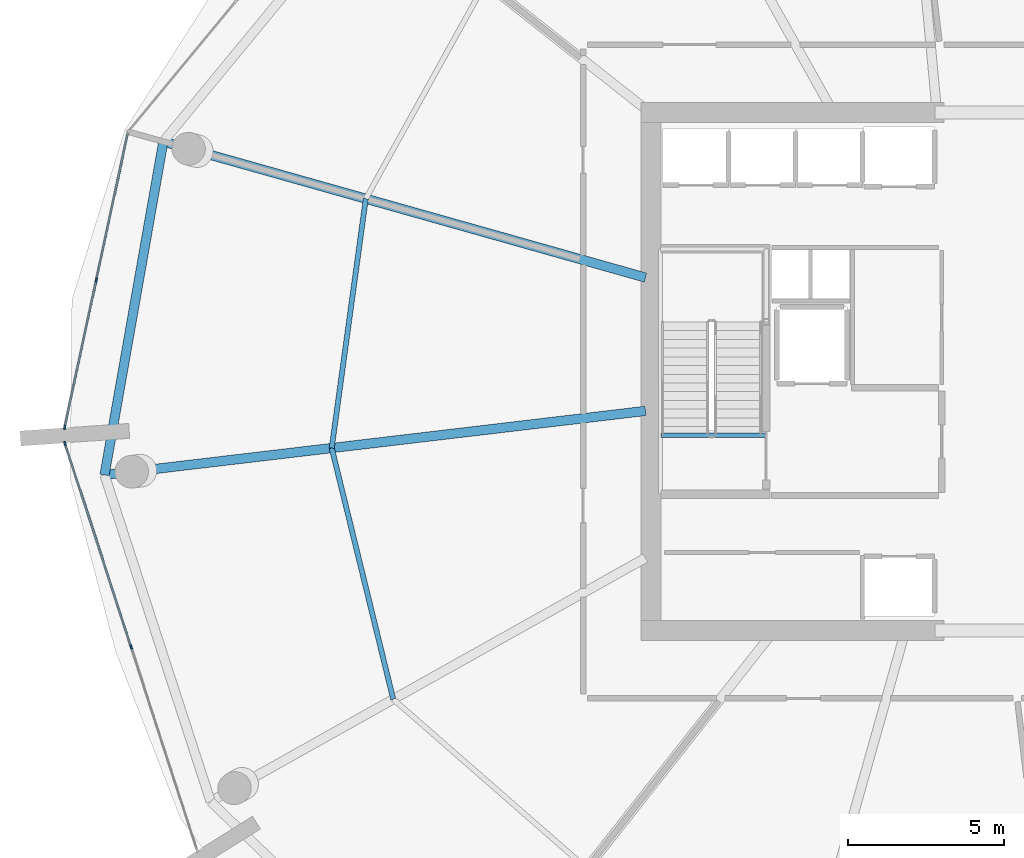
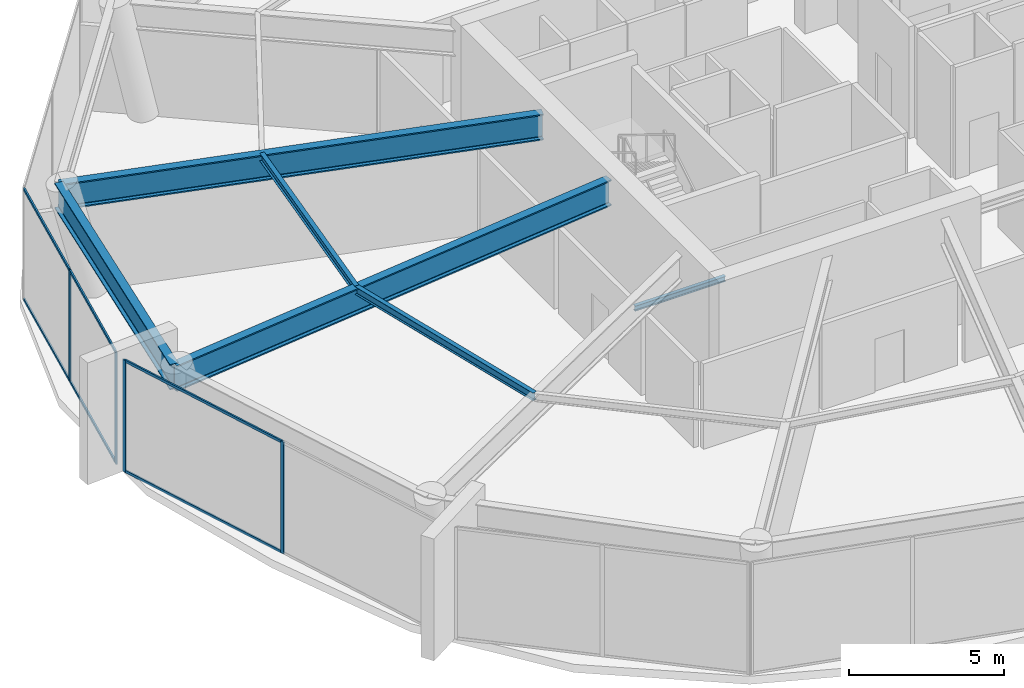
# One storey, part 7 of 22: 10 members, 6 beams, 2 elements without a shape of their own.
"""IFC4 building model written with IfcOpenShell, lengths in metres."""

from ifc_helpers import new_model, si_unit, direction, frame, origin, origin_2d, place, context, subcontext, project, spatial, rectangle, i_section, extrude, material, layer, layer_set, material_profile, profile_set, type_object, element, aggregate, save


model = new_model("IFC4")

# Units and contexts
model_context = context("Model", 3, precision=1e-05, world=origin(), true_north=direction((0.0, 1.0)))
body_context = subcontext(model_context, "Body", "Model", "MODEL_VIEW")
ifc_project = project(units=[si_unit("LENGTHUNIT", "METRE"), si_unit("AREAUNIT", "SQUARE_METRE"), si_unit("VOLUMEUNIT", "CUBIC_METRE"), si_unit("PLANEANGLEUNIT", "RADIAN"), si_unit("MASSUNIT", "GRAM", prefix="KILO")], contexts=[model_context])

# Site, building, storey
site_placement = place(None, origin())
site = spatial("IfcSite", under=ifc_project, at=site_placement, CompositionType="ELEMENT")
building_placement = place(site_placement, origin())
building = spatial("IfcBuilding", under=site, at=building_placement, Name="Kazma Halo Residences", CompositionType="ELEMENT")
storey_placement = place(building_placement, frame((0.0, 0.0, 231.89990234375)))
storey = spatial("IfcBuildingStorey", under=building, at=storey_placement, Name="L58", CompositionType="ELEMENT", Elevation=231.89990234375)

# Beams
ifc_material_1 = material(Name="Steel S355", Category="steel")
ifc_material_profile_1 = material_profile(ifc_material_1, i_section(OverallWidth=0.1650390625, OverallDepth=0.31005859375, WebThickness=0.005859375, FlangeThickness=0.009765625, FilletRadius=0.011962890625, at=origin_2d()), Name="W310x38.7")
ifc_profile_set_1 = profile_set([ifc_material_profile_1], Name="Steel S355")
beam_type_1 = type_object("IfcBeamType", Name="BM-SEC-W310B", PredefinedType="JOIST", material=ifc_profile_set_1)
beam_1_placement = place(storey_placement, frame((28.315185546875, 47.5517578125, 4.2451171875), z_axis=(-0.135450046233, -0.990784176789, 0.0), x_axis=(0.990784176789, -0.135450046233, 0.0)))
element("IfcBeam", 1, at=beam_1_placement, inside=storey, type_object=beam_type_1, Name="L58 circumferential floor joist 07", PredefinedType="JOIST", context=body_context, shape_type="SweptSolid", body=[
    extrude(i_section(OverallWidth=0.1650390625, OverallDepth=0.31005859375, WebThickness=0.005859375, FlangeThickness=0.009765625, FilletRadius=0.011962890625, at=origin_2d()), origin(), (0.0, 0.0, 1.0), 8.085693359375),
])
beam_2_placement = place(storey_placement, frame((27.219970703125, 39.54052734375, 4.2451171875), z_axis=(0.237963200266, -0.971274171035, 0.0), x_axis=(0.971274171035, 0.237963200266, 0.0)))
element("IfcBeam", 2, at=beam_2_placement, inside=storey, type_object=beam_type_1, Name="L58 circumferential floor joist 08", PredefinedType="JOIST", context=body_context, shape_type="SweptSolid", body=[
    extrude(i_section(OverallWidth=0.1650390625, OverallDepth=0.31005859375, WebThickness=0.005859375, FlangeThickness=0.009765625, FilletRadius=0.011962890625, at=origin_2d()), origin(), (0.0, 0.0, 1.0), 8.309326171875),
])
ifc_material_profile_2 = material_profile(ifc_material_1, i_section(OverallWidth=0.302001953125, OverallDepth=1.01806640625, WebThickness=0.021484375, FlangeThickness=0.049072265625, FilletRadius=0.028076171875, at=origin_2d()), Name="W1000x443")
ifc_profile_set_2 = profile_set([ifc_material_profile_2], Name="Steel S355")
beam_type_2 = type_object("IfcBeamType", Name="BM-TRANS-W1000A", PredefinedType="BEAM", material=ifc_profile_set_2)
beam_3_placement = place(storey_placement, frame((37.300048828125, 45.017578125, 3.89111328125), z_axis=(-0.96245140343, 0.271454040374, 0.0), x_axis=(-0.271454040374, -0.96245140343, 0.0)))
element("IfcBeam", 3, at=beam_3_placement, inside=storey, type_object=beam_type_2, Name="L58 podium radial transfer girder 07", PredefinedType="BEAM", context=body_context, shape_type="SweptSolid", body=[
    extrude(i_section(OverallWidth=0.302001953125, OverallDepth=1.01806640625, WebThickness=0.021484375, FlangeThickness=0.049072265625, FilletRadius=0.028076171875, at=origin_2d()), origin(), (0.0, 0.0, 1.0), 16.09521484375),
])
beam_4_placement = place(storey_placement, frame((37.300048828125, 40.733642578125, 3.89111328125), z_axis=(-0.993067702517, -0.117543771495, 0.0), x_axis=(0.117543771495, -0.993067702517, 0.0)))
element("IfcBeam", 4, at=beam_4_placement, inside=storey, type_object=beam_type_2, Name="L58 podium radial transfer girder 08", PredefinedType="BEAM", context=body_context, shape_type="SweptSolid", body=[
    extrude(i_section(OverallWidth=0.302001953125, OverallDepth=1.01806640625, WebThickness=0.021484375, FlangeThickness=0.049072265625, FilletRadius=0.028076171875, at=origin_2d()), origin(), (0.0, 0.0, 1.0), 17.5009765625),
])
ifc_material_profile_3 = material_profile(ifc_material_1, i_section(OverallWidth=0.300048828125, OverallDepth=1.0, WebThickness=0.01904296875, FlangeThickness=0.0400390625, FilletRadius=0.02587890625, at=origin_2d()), Name="W1000x371")
ifc_profile_set_3 = profile_set([ifc_material_profile_3], Name="Steel S355")
beam_type_3 = type_object("IfcBeamType", Name="BM-TRANS-W1000B", PredefinedType="BEAM", material=ifc_profile_set_3)
beam_5_placement = place(storey_placement, frame((21.80908203125, 49.38671875, 3.900146484375), z_axis=(-0.173663672311, -0.984805020763, 0.0), x_axis=(0.984805020763, -0.173663672311, 0.0)))
element("IfcBeam", 5, at=beam_5_placement, inside=storey, type_object=beam_type_3, Name="L58 perimeter ring beam 07", PredefinedType="BEAM", context=body_context, shape_type="SweptSolid", body=[
    extrude(i_section(OverallWidth=0.300048828125, OverallDepth=1.0, WebThickness=0.01904296875, FlangeThickness=0.0400390625, FilletRadius=0.02587890625, at=origin_2d()), origin(), (0.0, 0.0, 1.0), 10.87548828125),
])
ifc_material_profile_4 = material_profile(ifc_material_1, i_section(OverallWidth=0.133056640625, OverallDepth=0.20703125, WebThickness=0.005859375, FlangeThickness=0.00830078125, FilletRadius=0.010009765625, at=origin_2d()), Name="W200x26.6")
ifc_profile_set_4 = profile_set([ifc_material_profile_4], Name="Steel S355")
beam_type_4 = type_object("IfcBeamType", Name="BM-TRIM-W200", PredefinedType="BEAM", material=ifc_profile_set_4)
beam_6_placement = place(storey_placement, frame((37.800048828125, 39.949951171875, -0.429931640625), z_axis=(1.0, 0.0, 0.0), x_axis=(0.0, 1.0, 0.0)))
element("IfcBeam", 6, at=beam_6_placement, inside=storey, type_object=beam_type_4, Name="L58 ST-01 floor landing support beam", PredefinedType="BEAM", context=body_context, shape_type="SweptSolid", body=[
    extrude(i_section(OverallWidth=0.133056640625, OverallDepth=0.20703125, WebThickness=0.005859375, FlangeThickness=0.00830078125, FilletRadius=0.010009765625, at=origin_2d()), origin(), (0.0, 0.0, 1.0), 3.3798828125),
])

# Curtain wall, members
ifc_material_2 = material(Name="Aluminium AW-6063 T6 and Triple-Silver Low-E Glass", Category="aluminium")
ifc_layer = layer(ifc_material_2, 0.139892578125)
ifc_layer_set = layer_set([ifc_layer], Name="Aluminium AW-6063 T6 and Triple-Silver Low-E Glass")
curtain_wall_type = type_object("IfcCurtainWallType", Name="CW-SYS-5", PredefinedType="NOTDEFINED", material=ifc_layer_set)
curtain_wall_1_placement = place(storey_placement, origin())
curtain_wall_1 = element("IfcCurtainWall", 7, at=curtain_wall_1_placement, inside=storey, type_object=curtain_wall_type, Name="L58 unitised curtain wall B07", PredefinedType="NOTDEFINED")
ifc_material_3 = material(Name="Aluminium AW-6063 T6", Category="aluminium")
ifc_material_profile_5 = material_profile(ifc_material_3, rectangle(XDim=0.06005859375, YDim=0.139892578125, at=origin_2d()), Name="CWM-60x140")
ifc_profile_set_5 = profile_set([ifc_material_profile_5], Name="Aluminium AW-6063 T6")
member_type_1 = type_object("IfcMemberType", Name="CW-SYS-5-MUL", PredefinedType="MULLION", material=ifc_profile_set_5)
member_1_placement = place(storey_placement, frame((19.656494140625, 44.94189453125, 0.0), z_axis=(0.0, 0.0, 1.0), x_axis=(0.977772667302, -0.209667858949, 0.0)))
member_1 = element("IfcMember", 8, at=member_1_placement, type_object=member_type_1, Name="CWS-5 mullion 2", PredefinedType="MULLION", context=body_context, shape_type="SweptSolid", body=[
    extrude(rectangle(XDim=0.06005859375, YDim=0.139892578125, at=origin_2d()), origin(), (0.0, 0.0, 1.0), 4.400146484375),
])
member_2_placement = place(storey_placement, frame((18.64111328125, 40.20751953125, 0.0), z_axis=(0.0, 0.0, 1.0), x_axis=(0.977772667302, -0.209667858949, 0.0)))
member_2 = element("IfcMember", 9, at=member_2_placement, type_object=member_type_1, Name="CWS-5 mullion 3", PredefinedType="MULLION", context=body_context, shape_type="SweptSolid", body=[
    extrude(rectangle(XDim=0.06005859375, YDim=0.139892578125, at=origin_2d()), origin(), (0.0, 0.0, 1.0), 4.400146484375),
])

curtain_wall_2_placement = place(storey_placement, origin())
curtain_wall_2 = element("IfcCurtainWall", 10, at=curtain_wall_2_placement, inside=storey, type_object=curtain_wall_type, Name="L58 unitised curtain wall B08", PredefinedType="NOTDEFINED")
member_3_placement = place(storey_placement, frame((18.65185546875, 39.686767578125, 0.0), z_axis=(0.0, 0.0, 1.0), x_axis=(0.951055583158, 0.309019866261, 0.0)))
member_3 = element("IfcMember", 11, at=member_3_placement, type_object=member_type_1, Name="CWS-5 mullion 1", PredefinedType="MULLION", context=body_context, shape_type="SweptSolid", body=[
    extrude(rectangle(XDim=0.06005859375, YDim=0.139892578125, at=origin_2d()), origin(), (0.0, 0.0, 1.0), 4.400146484375),
])
member_4_placement = place(storey_placement, frame((20.7744140625, 33.15380859375, 0.0), z_axis=(0.0, 0.0, 1.0), x_axis=(0.951055583158, 0.309019866261, 0.0)))
member_4 = element("IfcMember", 12, at=member_4_placement, type_object=member_type_1, Name="CWS-5 mullion 2", PredefinedType="MULLION", context=body_context, shape_type="SweptSolid", body=[
    extrude(rectangle(XDim=0.06005859375, YDim=0.139892578125, at=origin_2d()), origin(), (0.0, 0.0, 1.0), 4.400146484375),
])

# Member
ifc_material_profile_6 = material_profile(ifc_material_3, rectangle(XDim=0.06005859375, YDim=0.10498046875, at=origin_2d()), Name="CWT-60x105")
ifc_profile_set_6 = profile_set([ifc_material_profile_6], Name="Aluminium AW-6063 T6")
member_type_2 = type_object("IfcMemberType", Name="CW-SYS-5-TRN", PredefinedType="USERDEFINED", material=ifc_profile_set_6)
member_5_placement = place(storey_placement, frame((20.665283203125, 49.64697265625, 0.030029296875), z_axis=(-0.209675521922, -0.977771024068, 0.0), x_axis=(0.977771024068, -0.209675521922, 0.0)))
member_5 = element("IfcMember", 13, at=member_5_placement, type_object=member_type_2, Name="CWS-5 transom 1.1", ObjectType="TRANSOM", PredefinedType="USERDEFINED", context=body_context, shape_type="SweptSolid", body=[
    extrude(rectangle(XDim=0.06005859375, YDim=0.10498046875, at=origin_2d()), origin(), (0.0, 0.0, 1.0), 4.781982421875),
])

member_6_placement = place(storey_placement, frame((20.665283203125, 49.64697265625, 4.3701171875), z_axis=(-0.209675521922, -0.977771024068, 0.0), x_axis=(0.977771024068, -0.209675521922, 0.0)))
member_6 = element("IfcMember", 14, at=member_6_placement, type_object=member_type_2, Name="CWS-5 transom 1.2", ObjectType="TRANSOM", PredefinedType="USERDEFINED", context=body_context, shape_type="SweptSolid", body=[
    extrude(rectangle(XDim=0.06005859375, YDim=0.10498046875, at=origin_2d()), origin(), (0.0, 0.0, 1.0), 4.781982421875),
])

member_7_placement = place(storey_placement, frame((19.650146484375, 44.91259765625, 0.030029296875), z_axis=(-0.209675521922, -0.977771024068, 0.0), x_axis=(0.977771024068, -0.209675521922, 0.0)))
member_7 = element("IfcMember", 15, at=member_7_placement, type_object=member_type_2, Name="CWS-5 transom 2.1", ObjectType="TRANSOM", PredefinedType="USERDEFINED", context=body_context, shape_type="SweptSolid", body=[
    extrude(rectangle(XDim=0.06005859375, YDim=0.10498046875, at=origin_2d()), origin(), (0.0, 0.0, 1.0), 4.781982421875),
])

member_8_placement = place(storey_placement, frame((19.650146484375, 44.91259765625, 4.3701171875), z_axis=(-0.209675521922, -0.977771024068, 0.0), x_axis=(0.977771024068, -0.209675521922, 0.0)))
member_8 = element("IfcMember", 16, at=member_8_placement, type_object=member_type_2, Name="CWS-5 transom 2.2", ObjectType="TRANSOM", PredefinedType="USERDEFINED", context=body_context, shape_type="SweptSolid", body=[
    extrude(rectangle(XDim=0.06005859375, YDim=0.10498046875, at=origin_2d()), origin(), (0.0, 0.0, 1.0), 4.781982421875),
])

aggregate(curtain_wall_1, [member_1, member_2, member_5, member_6, member_7, member_8])

member_9_placement = place(storey_placement, frame((18.6611328125, 39.658203125, 0.030029296875), z_axis=(0.30900094264, -0.95106173167, 0.0), x_axis=(0.95106173167, 0.30900094264, 0.0)))
member_9 = element("IfcMember", 17, at=member_9_placement, type_object=member_type_2, Name="CWS-5 transom 1.1", ObjectType="TRANSOM", PredefinedType="USERDEFINED", context=body_context, shape_type="SweptSolid", body=[
    extrude(rectangle(XDim=0.06005859375, YDim=0.10498046875, at=origin_2d()), origin(), (0.0, 0.0, 1.0), 6.80908203125),
])

member_10_placement = place(storey_placement, frame((18.6611328125, 39.658203125, 4.3701171875), z_axis=(0.30900094264, -0.95106173167, 0.0), x_axis=(0.95106173167, 0.30900094264, 0.0)))
member_10 = element("IfcMember", 18, at=member_10_placement, type_object=member_type_2, Name="CWS-5 transom 1.2", ObjectType="TRANSOM", PredefinedType="USERDEFINED", context=body_context, shape_type="SweptSolid", body=[
    extrude(rectangle(XDim=0.06005859375, YDim=0.10498046875, at=origin_2d()), origin(), (0.0, 0.0, 1.0), 6.80908203125),
])

aggregate(curtain_wall_2, [member_3, member_4, member_9, member_10])

save(model, "model.ifc")
